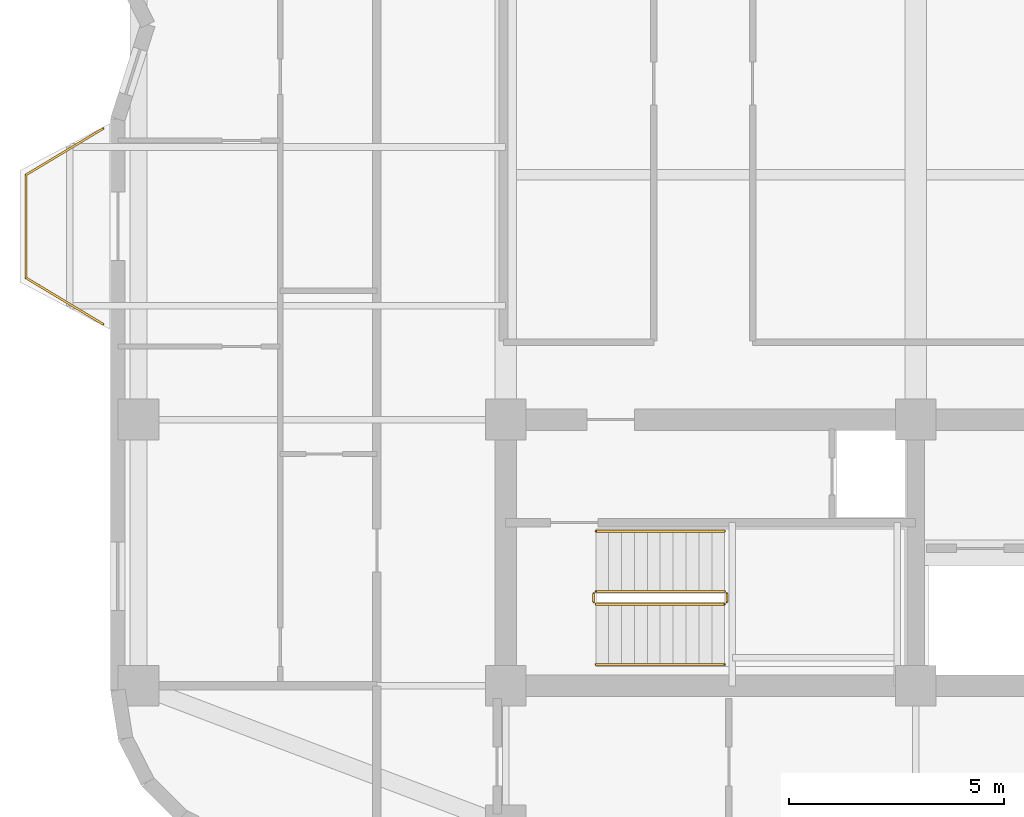
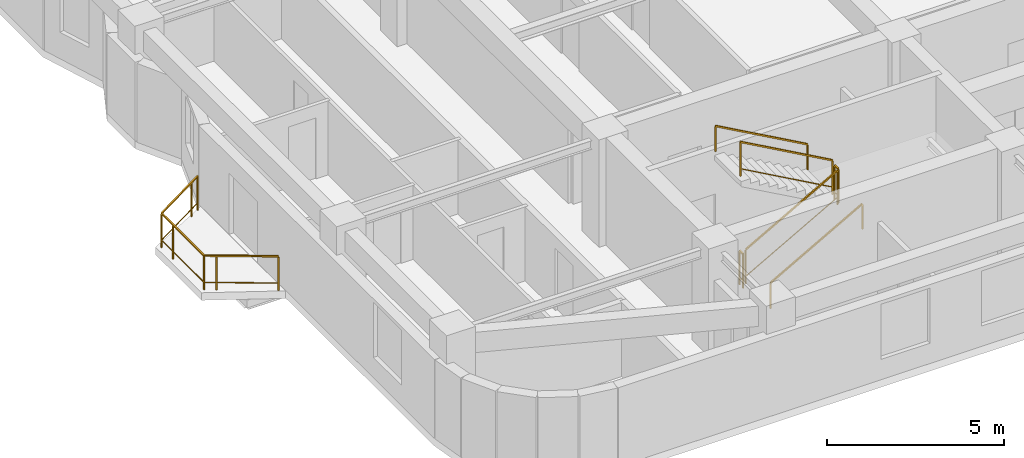
# One storey, part 8 of 9: 7 railings.
"""IFC4 building model written with IfcOpenShell, lengths in metres."""

import ifcopenshell
import ifcopenshell.guid

model = None  # the IFC model being written
_history = None  # IfcOwnerHistory: only IFC2X3 demands one
_inside = {}  # id of a spatial element -> (the spatial element, [elements in it])
_under = {}  # id of a project, library or spatial element -> (it, [spatial elements below it])
_declared = {}  # id of a project -> (the project, [libraries it declares])
_typed = {}  # id of a type object -> (the type object, [elements of that type])
_made_of = {}  # id of a material, layer set ... -> (it, [elements and type objects made of it])


def new_model(schema):
    """Start an empty IFC model of exactly this schema.

    Asked for "IFC4X3", IfcOpenShell would pick the latest addendum, in which some entities
    have other attributes; the version numbers below select the first issue.
    IFC2X3 requires an IfcOwnerHistory on every rooted entity: one is made here for all.
    """
    global model, _history
    if schema == "IFC4X3":
        model = ifcopenshell.file(schema_version=(4, 3, 0, 0))
    else:
        model = ifcopenshell.file(schema=schema)
    _inside.clear()
    _under.clear()
    _declared.clear()
    _typed.clear()
    _made_of.clear()
    _history = None
    if model.schema == "IFC2X3":
        org = make("IfcOrganization", Name="unknown")
        user = make(
            "IfcPersonAndOrganization",
            ThePerson=make("IfcPerson", FamilyName="unknown"),
            TheOrganization=org,
        )
        app = make(
            "IfcApplication",
            ApplicationDeveloper=org,
            Version="unknown",
            ApplicationFullName="unknown",
            ApplicationIdentifier="unknown",
        )
        _history = make(
            "IfcOwnerHistory",
            OwningUser=user,
            OwningApplication=app,
            ChangeAction="ADDED",
            CreationDate=0,
        )
    return model


def make(cls, **values):
    """One entity of the class cls with the attributes given. An attribute that is None is left unset."""
    return model.create_entity(
        cls, **{name: value for name, value in values.items() if value is not None}
    )


def rooted(cls, **values):
    """An entity with a GlobalId (a new one), such as an element, a storey or a relation."""
    return make(cls, GlobalId=ifcopenshell.guid.new(), OwnerHistory=_history, **values)


def si_unit(unit_type, name, prefix=None):
    """IfcSIUnit, for example si_unit("LENGTHUNIT", "METRE", prefix="MILLI")."""
    return make("IfcSIUnit", UnitType=unit_type, Prefix=prefix, Name=name)


def assignment(units):
    """IfcUnitAssignment: the units of a project."""
    return None if units is None else make("IfcUnitAssignment", Units=units)


def point(xyz):
    """IfcCartesianPoint."""
    return None if xyz is None else make("IfcCartesianPoint", Coordinates=xyz)


def direction(xyz):
    """IfcDirection."""
    return None if xyz is None else make("IfcDirection", DirectionRatios=xyz)


def frame(location, z_axis=None, x_axis=None):
    """IfcAxis2Placement3D, a coordinate frame: its origin and axes. An axis left out is left unset."""
    return make(
        "IfcAxis2Placement3D",
        Location=point(location),
        Axis=direction(z_axis),
        RefDirection=direction(x_axis),
    )


def frame_2d(location, x_axis=None):
    """IfcAxis2Placement2D, a coordinate frame in the plane: its origin and x axis."""
    return make(
        "IfcAxis2Placement2D", Location=point(location), RefDirection=direction(x_axis)
    )


def origin():
    """The frame at (0, 0, 0) with its axes left unset."""
    return frame((0.0, 0.0, 0.0))


def origin_2d():
    """The frame at (0, 0) in the plane with its x axis left unset."""
    return frame_2d((0.0, 0.0))


def place(relative_to, where):
    """IfcLocalPlacement: puts the frame where relative to a parent placement (None: the world)."""
    return make(
        "IfcLocalPlacement", PlacementRelTo=relative_to, RelativePlacement=where
    )


def context(
    kind, dimensions, precision=None, world=None, true_north=None, identifier=None
):
    """IfcGeometricRepresentationContext, for example the 3D "Model" context."""
    return make(
        "IfcGeometricRepresentationContext",
        ContextIdentifier=identifier,
        ContextType=kind,
        CoordinateSpaceDimension=dimensions,
        Precision=precision,
        WorldCoordinateSystem=world,
        TrueNorth=true_north,
    )


def subcontext(parent, identifier, kind, view, scale=None):
    """IfcGeometricRepresentationSubContext, for example "Body" below "Model"."""
    return make(
        "IfcGeometricRepresentationSubContext",
        ContextIdentifier=identifier,
        ContextType=kind,
        ParentContext=parent,
        TargetScale=scale,
        TargetView=view,
    )


def project(units=None, contexts=None):
    """IfcProject with its units and contexts."""
    return rooted(
        "IfcProject",
        Name="project",
        RepresentationContexts=contexts,
        UnitsInContext=assignment(units),
    )


def spatial(cls, under=None, at=None, **own):
    """A site, building, storey or space (cls), placed at a placement, below another one or the project."""
    s = rooted(cls, ObjectPlacement=at, **own)
    if under is not None:
        _under.setdefault(under.id(), (under, []))[1].append(s)
    return s


def profile(cls, at=None, kind="AREA", **sizes):
    """A parametric profile (cls). Its sizes go by their IFC names, for example OverallWidth=200.0."""
    return make(cls, ProfileType=kind, Position=at, **sizes)


def rectangle(**sizes):
    """IfcRectangleProfileDef."""
    return profile("IfcRectangleProfileDef", **sizes)


def extrude(swept, where, along, depth):
    """IfcExtrudedAreaSolid: the profile swept, set in the frame where, extruded along a direction by depth."""
    return make(
        "IfcExtrudedAreaSolid",
        SweptArea=swept,
        Position=where,
        ExtrudedDirection=direction(along),
        Depth=depth,
    )


def shape(context_of_items, identifier, shape_type, items):
    """IfcShapeRepresentation: the items that make up one representation, for example the "Body"."""
    return make(
        "IfcShapeRepresentation",
        ContextOfItems=context_of_items,
        RepresentationIdentifier=identifier,
        RepresentationType=shape_type,
        Items=items,
    )


def material(Name=None, Category=None):
    """IfcMaterial."""
    return make("IfcMaterial", Name=Name, Category=Category)


def made_of(thing, what):
    """Note that an element or type object is made of a material, layer set ...; save() writes the relation."""
    if what is not None:
        _made_of.setdefault(what.id(), (what, []))[1].append(thing)
    return thing


def type_object(cls, material=None, **own):
    """A type object (cls), such as IfcWallType, which elements share."""
    return made_of(rooted(cls, **own), material)


def element(
    cls,
    number,
    at=None,
    inside=None,
    cuts=None,
    type_object=None,
    material=None,
    context=None,
    identifier="Body",
    shape_type=None,
    held_by="IfcProductDefinitionShape",
    body=None,
    shapes=None,
    **own,
):
    """One element of the class cls, such as IfcWall. Its Tag is "e" and its number.

    at: its placement. inside: the storey or other place that contains it. cuts: it is an
    opening in that element (IfcRelVoidsElement). A single representation is given by context,
    identifier, shape_type and body (its items); several are given by shapes. held_by: the class
    of the entity that holds the representations. save() writes the other relations.
    """
    e = rooted(cls, Tag="e%d" % number, ObjectPlacement=at, **own)
    if body is not None:
        shapes = [shape(context, identifier, shape_type, body)]
    if shapes is not None:
        e.Representation = make(held_by, Representations=shapes)
    if inside is not None:
        _inside.setdefault(inside.id(), (inside, []))[1].append(e)
    if cuts is not None:
        rooted(
            "IfcRelVoidsElement", RelatingBuildingElement=cuts, RelatedOpeningElement=e
        )
    if type_object is not None:
        _typed.setdefault(type_object.id(), (type_object, []))[1].append(e)
    return made_of(e, material)


def aggregate(whole, parts):
    """IfcRelAggregates: a whole, such as a stair, and the parts it consists of."""
    return rooted("IfcRelAggregates", RelatingObject=whole, RelatedObjects=parts)


def save(model, path):
    """Write the relations noted so far, then the file.

    IfcRelAggregates (storeys below a building ...), IfcRelContainedInSpatialStructure (elements
    in a storey), IfcRelDefinesByType, IfcRelAssociatesMaterial and IfcRelDeclares: one each for
    every whole, place, type object, material and project.
    """
    for whole, parts in _under.values():
        aggregate(whole, parts)
    for where, things in _inside.values():
        rooted(
            "IfcRelContainedInSpatialStructure",
            RelatedElements=things,
            RelatingStructure=where,
        )
    for kind, things in _typed.values():
        rooted("IfcRelDefinesByType", RelatedObjects=things, RelatingType=kind)
    for what, things in _made_of.values():
        rooted("IfcRelAssociatesMaterial", RelatedObjects=things, RelatingMaterial=what)
    for by, libraries in _declared.values():
        rooted("IfcRelDeclares", RelatingContext=by, RelatedDefinitions=libraries)
    model.write(path)


model = new_model("IFC4")

# Units and contexts
model_context = context("Model", 3, precision=1e-05, world=origin(), true_north=direction((0.0, 1.0)))
body_context = subcontext(model_context, "Body", "Model", "MODEL_VIEW")
ifc_project = project(units=[si_unit("LENGTHUNIT", "METRE"), si_unit("AREAUNIT", "SQUARE_METRE"), si_unit("VOLUMEUNIT", "CUBIC_METRE"), si_unit("PLANEANGLEUNIT", "RADIAN"), si_unit("MASSUNIT", "GRAM", prefix="KILO")], contexts=[model_context])

# Site, building, storey
site_placement = place(None, origin())
site = spatial("IfcSite", under=ifc_project, at=site_placement, CompositionType="ELEMENT")
building_placement = place(site_placement, origin())
building = spatial("IfcBuilding", under=site, at=building_placement, Name="Svetorya Sky Lyceum", CompositionType="ELEMENT")
storey_placement = place(building_placement, frame((0.0, 0.0, 184.800048828125)))
storey = spatial("IfcBuildingStorey", under=building, at=storey_placement, Name="L46", CompositionType="ELEMENT", Elevation=184.800048828125)

# Railings
ifc_material_1 = material(Name="Laminated safety glass and stainless AISI 316", Category="glass")
railing_type_1 = type_object("IfcRailingType", Name="RL-BAL-1200", PredefinedType="BALUSTRADE", material=ifc_material_1)
railing_1_placement = place(storey_placement, frame((16.22998046875, 19.02001953125, 0.0)))
element("IfcRailing", 1, at=railing_1_placement, inside=storey, type_object=railing_type_1, Name="L46 Balcony Balustrade BAL-W1", PredefinedType="BALUSTRADE", context=body_context, shape_type="SweptSolid", body=[
    extrude(rectangle(XDim=0.048095703125, YDim=0.048095703125, at=origin_2d()), frame((0.0, 0.0, 1.17578125), z_axis=(-0.857482663744, 0.514512858321, 0.0), x_axis=(-0.514512858321, -0.857482663744, 0.0)), (0.0, 0.0, 1.0), 2.09912109375),
    extrude(rectangle(XDim=0.02392578125, YDim=0.02392578125, at=origin_2d()), frame((0.0, 0.0, 0.25), z_axis=(-0.857482663744, 0.514512858321, 0.0), x_axis=(-0.514512858321, -0.857482663744, 0.0)), (0.0, 0.0, 1.0), 2.09912109375),
    extrude(rectangle(XDim=0.048095703125, YDim=0.048095703125, at=origin_2d()), frame((-1.800048828125, 1.080078125, 1.17578125), z_axis=(0.0, 1.0, 0.0), x_axis=(-1.0, 0.0, 0.0)), (0.0, 0.0, 1.0), 2.39990234375),
    extrude(rectangle(XDim=0.02392578125, YDim=0.02392578125, at=origin_2d()), frame((-1.800048828125, 1.080078125, 0.25), z_axis=(0.0, 1.0, 0.0), x_axis=(-1.0, 0.0, 0.0)), (0.0, 0.0, 1.0), 2.39990234375),
    extrude(rectangle(XDim=0.048095703125, YDim=0.048095703125, at=origin_2d()), frame((-1.800048828125, 3.47998046875, 1.17578125), z_axis=(0.857482663744, 0.514512858321, 0.0), x_axis=(-0.514512858321, 0.857482663744, 0.0)), (0.0, 0.0, 1.0), 2.09912109375),
    extrude(rectangle(XDim=0.02392578125, YDim=0.02392578125, at=origin_2d()), frame((-1.800048828125, 3.47998046875, 0.25), z_axis=(0.857482663744, 0.514512858321, 0.0), x_axis=(-0.514512858321, 0.857482663744, 0.0)), (0.0, 0.0, 1.0), 2.09912109375),
    extrude(rectangle(XDim=0.0419921875, YDim=0.0419921875, at=origin_2d()), origin(), (0.0, 0.0, 1.0), 1.15185546875),
    extrude(rectangle(XDim=0.0419921875, YDim=0.0419921875, at=origin_2d()), frame((-1.50048828125, 0.900390625, 0.0)), (0.0, 0.0, 1.0), 1.15185546875),
    extrude(rectangle(XDim=0.0419921875, YDim=0.0419921875, at=origin_2d()), frame((-1.800048828125, 1.080078125, 0.0)), (0.0, 0.0, 1.0), 1.15185546875),
    extrude(rectangle(XDim=0.0419921875, YDim=0.0419921875, at=origin_2d()), frame((-1.800048828125, 2.830078125, 0.0)), (0.0, 0.0, 1.0), 1.15185546875),
    extrude(rectangle(XDim=0.0419921875, YDim=0.0419921875, at=origin_2d()), frame((-1.800048828125, 3.47998046875, 0.0)), (0.0, 0.0, 1.0), 1.15185546875),
    extrude(rectangle(XDim=0.0419921875, YDim=0.0419921875, at=origin_2d()), frame((-0.299560546875, 4.38037109375, 0.0)), (0.0, 0.0, 1.0), 1.15185546875),
    extrude(rectangle(XDim=0.0419921875, YDim=0.0419921875, at=origin_2d()), frame((0.0, 4.56005859375, 0.0)), (0.0, 0.0, 1.0), 1.15185546875),
])
ifc_material_2 = material(Name="Painted galvanized stair well guard")
railing_type_2 = type_object("IfcRailingType", Name="RL-STR-GUARD-1200", PredefinedType="GUARDRAIL", material=ifc_material_2)
railing_2_placement = place(storey_placement, frame((27.699951171875, 12.5, 0.168212890625)))
element("IfcRailing", 2, at=railing_2_placement, inside=storey, type_object=railing_type_2, Name="L46 ST-S stair guard 1", PredefinedType="GUARDRAIL", context=body_context, shape_type="SweptSolid", body=[
    extrude(rectangle(XDim=0.048095703125, YDim=0.048095703125, at=origin_2d()), frame((0.0, 0.0, 1.17578125), z_axis=(0.872302573547, 0.0, 0.488966481656), x_axis=(0.0, 1.0, 0.0)), (0.0, 0.0, 1.0), 3.439208984375),
    extrude(rectangle(XDim=0.02392578125, YDim=0.02392578125, at=origin_2d()), frame((0.0, 0.0, 0.25), z_axis=(0.872302573547, 0.0, 0.488966481656), x_axis=(0.0, 1.0, 0.0)), (0.0, 0.0, 1.0), 3.439208984375),
    extrude(rectangle(XDim=0.0419921875, YDim=0.0419921875, at=origin_2d()), origin(), (0.0, 0.0, 1.0), 1.15185546875),
    extrude(rectangle(XDim=0.0419921875, YDim=0.0419921875, at=origin_2d()), frame((3.0, 0.0, 1.681640625)), (0.0, 0.0, 1.0), 1.15185546875),
])
railing_3_placement = place(storey_placement, frame((30.75, 12.550048828125, 1.849853515625)))
element("IfcRailing", 3, at=railing_3_placement, inside=storey, type_object=railing_type_2, Name="L46 ST-S stair guard 2", PredefinedType="GUARDRAIL", context=body_context, shape_type="SweptSolid", body=[
    extrude(rectangle(XDim=0.048095703125, YDim=0.048095703125, at=origin_2d()), frame((0.0, 0.0, 1.17578125), z_axis=(0.0, 1.0, 0.0), x_axis=(-1.0, 0.0, 0.0)), (0.0, 0.0, 1.0), 0.199951171875),
    extrude(rectangle(XDim=0.02392578125, YDim=0.02392578125, at=origin_2d()), frame((0.0, 0.0, 0.25), z_axis=(0.0, 1.0, 0.0), x_axis=(-1.0, 0.0, 0.0)), (0.0, 0.0, 1.0), 0.199951171875),
    extrude(rectangle(XDim=0.0419921875, YDim=0.0419921875, at=origin_2d()), origin(), (0.0, 0.0, 1.0), 1.15185546875),
    extrude(rectangle(XDim=0.0419921875, YDim=0.0419921875, at=origin_2d()), frame((0.0, 0.199951171875, 0.0)), (0.0, 0.0, 1.0), 1.15185546875),
])
railing_4_placement = place(storey_placement, frame((30.699951171875, 12.800048828125, 2.01806640625)))
element("IfcRailing", 4, at=railing_4_placement, inside=storey, type_object=railing_type_2, Name="L46 ST-S stair guard 3", PredefinedType="GUARDRAIL", context=body_context, shape_type="SweptSolid", body=[
    extrude(rectangle(XDim=0.048095703125, YDim=0.048095703125, at=origin_2d()), frame((0.0, 0.0, 1.17578125), z_axis=(-0.872272294576, 0.0, 0.489020494575), x_axis=(0.0, -1.0, 0.0)), (0.0, 0.0, 1.0), 3.439208984375),
    extrude(rectangle(XDim=0.02392578125, YDim=0.02392578125, at=origin_2d()), frame((0.0, 0.0, 0.25), z_axis=(-0.872272294576, 0.0, 0.489020494575), x_axis=(0.0, -1.0, 0.0)), (0.0, 0.0, 1.0), 3.439208984375),
    extrude(rectangle(XDim=0.0419921875, YDim=0.0419921875, at=origin_2d()), origin(), (0.0, 0.0, 1.0), 1.15185546875),
    extrude(rectangle(XDim=0.0419921875, YDim=0.0419921875, at=origin_2d()), frame((-3.0, 0.0, 1.681884765625)), (0.0, 0.0, 1.0), 1.15185546875),
])
railing_5_placement = place(storey_placement, frame((27.64990234375, 12.550048828125, 0.0)))
element("IfcRailing", 5, at=railing_5_placement, inside=storey, type_object=railing_type_2, Name="L46 ST-S stair guard 4", PredefinedType="GUARDRAIL", context=body_context, shape_type="SweptSolid", body=[
    extrude(rectangle(XDim=0.048095703125, YDim=0.048095703125, at=origin_2d()), frame((0.0, 0.0, 1.17578125), z_axis=(0.0, 1.0, 0.0), x_axis=(-1.0, 0.0, 0.0)), (0.0, 0.0, 1.0), 0.199951171875),
    extrude(rectangle(XDim=0.02392578125, YDim=0.02392578125, at=origin_2d()), frame((0.0, 0.0, 0.25), z_axis=(0.0, 1.0, 0.0), x_axis=(-1.0, 0.0, 0.0)), (0.0, 0.0, 1.0), 0.199951171875),
    extrude(rectangle(XDim=0.0419921875, YDim=0.0419921875, at=origin_2d()), origin(), (0.0, 0.0, 1.0), 1.15185546875),
    extrude(rectangle(XDim=0.0419921875, YDim=0.0419921875, at=origin_2d()), frame((0.0, 0.199951171875, 0.0)), (0.0, 0.0, 1.0), 1.15185546875),
])
ifc_material_3 = material(Name="Brushed stainless AISI 304 stair handrail")
railing_type_3 = type_object("IfcRailingType", Name="RL-STR-HAND-920", PredefinedType="HANDRAIL", material=ifc_material_3)
railing_6_placement = place(storey_placement, frame((27.699951171875, 11.10009765625, 0.168212890625)))
element("IfcRailing", 6, at=railing_6_placement, inside=storey, type_object=railing_type_3, Name="L46 ST-S stair handrail 1", PredefinedType="HANDRAIL", context=body_context, shape_type="SweptSolid", body=[
    extrude(rectangle(XDim=0.048095703125, YDim=0.048095703125, at=origin_2d()), frame((0.0, 0.0, 0.8759765625), z_axis=(0.872302573547, 0.0, 0.488966481656), x_axis=(0.0, 1.0, 0.0)), (0.0, 0.0, 1.0), 3.439208984375),
    extrude(rectangle(XDim=0.0419921875, YDim=0.0419921875, at=origin_2d()), origin(), (0.0, 0.0, 1.0), 0.851806640625),
    extrude(rectangle(XDim=0.0419921875, YDim=0.0419921875, at=origin_2d()), frame((3.0, 0.0, 1.681640625)), (0.0, 0.0, 1.0), 0.851806640625),
])
railing_7_placement = place(storey_placement, frame((30.699951171875, 14.199951171875, 2.01806640625)))
element("IfcRailing", 7, at=railing_7_placement, inside=storey, type_object=railing_type_3, Name="L46 ST-S stair handrail 2", PredefinedType="HANDRAIL", context=body_context, shape_type="SweptSolid", body=[
    extrude(rectangle(XDim=0.048095703125, YDim=0.048095703125, at=origin_2d()), frame((0.0, 0.0, 0.8759765625), z_axis=(-0.872272294576, 0.0, 0.489020494575), x_axis=(0.0, -1.0, 0.0)), (0.0, 0.0, 1.0), 3.439208984375),
    extrude(rectangle(XDim=0.0419921875, YDim=0.0419921875, at=origin_2d()), origin(), (0.0, 0.0, 1.0), 0.851806640625),
    extrude(rectangle(XDim=0.0419921875, YDim=0.0419921875, at=origin_2d()), frame((-3.0, 0.0, 1.681884765625)), (0.0, 0.0, 1.0), 0.851806640625),
])

save(model, "model.ifc")
